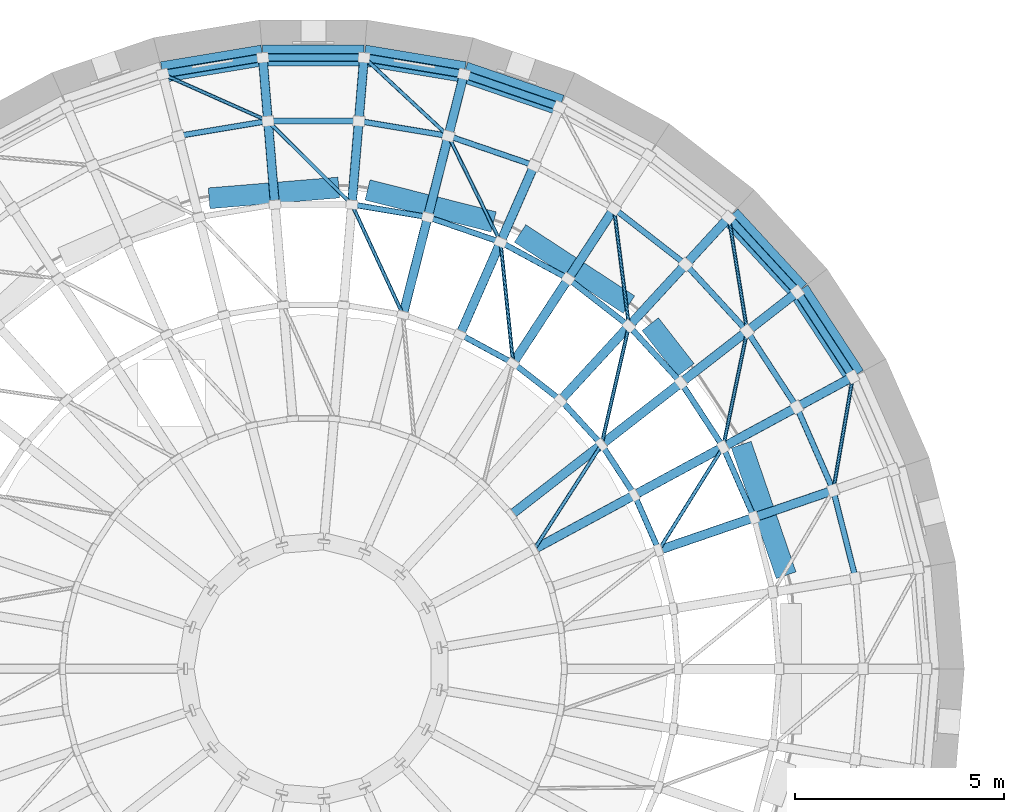
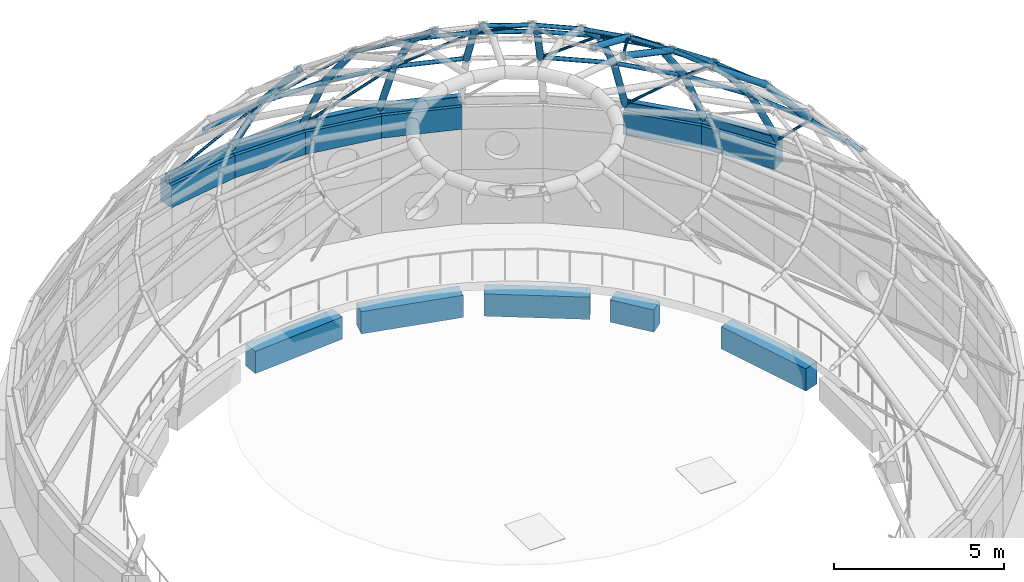
# One storey, part 33 of 98: 64 members, 11 beams.
"""IFC4 building model written with IfcOpenShell, lengths in metres."""

from ifc_helpers import new_model, si_unit, direction, frame, origin, origin_2d, place, context, subcontext, project, spatial, rectangle, hollow_rectangle, hollow_circle, extrude, material, material_profile, profile_set, type_object, element, save


model = new_model("IFC4")

# Units and contexts
model_context = context("Model", 3, precision=1e-05, world=origin(), true_north=direction((0.0, 1.0)))
body_context = subcontext(model_context, "Body", "Model", "MODEL_VIEW")
ifc_project = project(units=[si_unit("LENGTHUNIT", "METRE"), si_unit("AREAUNIT", "SQUARE_METRE"), si_unit("VOLUMEUNIT", "CUBIC_METRE"), si_unit("PLANEANGLEUNIT", "RADIAN"), si_unit("MASSUNIT", "GRAM", prefix="KILO")], contexts=[model_context])

# Site, building, storey
site_placement = place(None, origin())
site = spatial("IfcSite", under=ifc_project, at=site_placement, CompositionType="ELEMENT")
building_placement = place(site_placement, origin())
building = spatial("IfcBuilding", under=site, at=building_placement, Name="Sun Court Science Centre", CompositionType="ELEMENT")
storey_placement = place(building_placement, frame((0.0, 0.0, 15.75)))
storey = spatial("IfcBuildingStorey", under=building, at=storey_placement, Name="L03", CompositionType="ELEMENT", Elevation=15.75)

# Members
ifc_material_1 = material(Name="Steel S355", Category="steel")
ifc_material_profile_1 = material_profile(ifc_material_1, hollow_circle(Radius=0.04443359375, WallThickness=0.0048828125, at=origin_2d()), Name="CHS 88.9x5")
ifc_profile_set_1 = profile_set([ifc_material_profile_1], Name="Steel S355")
member_type_1 = type_object("IfcMemberType", Name="Dome brace CHS 88.9x5", PredefinedType="BRACE", material=ifc_profile_set_1)
member_1_placement = place(storey_placement, frame((56.292236328125, 99.6640625, 12.534912109375), z_axis=(0.488342501181, 0.760005187975, -0.428851624448), x_axis=(-0.841295406146, 0.540575655758, 0.0)))
element("IfcMember", 1, at=member_1_placement, inside=storey, type_object=member_type_1, Name="Dome brace 2.3", PredefinedType="BRACE", context=body_context, shape_type="SweptSolid", body=[
    extrude(hollow_circle(Radius=0.04443359375, WallThickness=0.0048828125, at=origin_2d()), origin(), (0.0, 0.0, 1.0), 3.303466796875),
])
for number, where, z_axis, x_axis, name in (
    (2, (59.276611328125, 99.641357421875, 11.1181640625), (0.442721207923, 0.709587022289, -0.548164382147), (-0.848412183875, 0.529336156192, 0.0), "Dome brace 3.2"),
    (3, (57.905517578125, 102.1748046875, 11.1181640625), (0.188326709318, 0.814891352705, -0.548165243192), (-0.974319141906, 0.225171511774, 0.0), "Dome brace 3.4"),
    (4, (55.7861328125, 104.125732421875, 11.1181640625), (-0.086454595847, 0.831897788565, -0.548152964269), (-0.994643197391, -0.103367837762, 0.0), "Dome brace 3.6"),
):
    element("IfcMember", number, at=place(storey_placement, frame(where, z_axis=z_axis, x_axis=x_axis)), inside=storey, type_object=member_type_1, Name=name, PredefinedType="BRACE", context=body_context, shape_type="SweptSolid", body=[
        extrude(hollow_circle(Radius=0.04443359375, WallThickness=0.0048828125, at=origin_2d()), origin(), (0.0, 0.0, 1.0), 3.484619140625),
    ])
member_2_placement = place(storey_placement, frame((53.148193359375, 105.282958984375, 11.1181640625), z_axis=(-0.351866818791, 0.758734723356, -0.548189165716), x_axis=(-0.907192868376, -0.420714986147, 0.0)))
element("IfcMember", 5, at=member_2_placement, inside=storey, type_object=member_type_1, Name="Dome brace 3.8", PredefinedType="BRACE", context=body_context, shape_type="SweptSolid", body=[
    extrude(hollow_circle(Radius=0.04443359375, WallThickness=0.0048828125, at=origin_2d()), origin(), (0.0, 0.0, 1.0), 3.484375),
])
member_3_placement = place(storey_placement, frame((60.8193359375, 102.114013671875, 9.2080078125), z_axis=(0.156613157658, 0.755944324654, -0.63562606686), x_axis=(-0.979206187279, 0.20286754988, 0.0)))
element("IfcMember", 6, at=member_3_placement, inside=storey, type_object=member_type_1, Name="Dome brace 4.3", PredefinedType="BRACE", context=body_context, shape_type="SweptSolid", body=[
    extrude(hollow_circle(Radius=0.04443359375, WallThickness=0.0048828125, at=origin_2d()), origin(), (0.0, 0.0, 1.0), 3.672607421875),
])
for number, where, z_axis, x_axis, name in (
    (7, (58.561767578125, 105.014404296875, 9.2080078125), (-0.097317415342, 0.76584285666, -0.635620987361), (-0.99202279415, -0.126058620835, 0.0), "Dome brace 4.5"),
    (8, (55.48486328125, 107.024658203125, 9.2080078125), (-0.340672179753, 0.692777650221, -0.635611196643), (-0.897369529956, -0.441279873443, 0.0), "Dome brace 4.7"),
    (9, (51.922119140625, 107.9267578125, 9.2080078125), (-0.547193709061, 0.54460131904, -0.635600855933), (-0.705425817619, -0.708783758164, 0.0), "Dome brace 4.9"),
):
    element("IfcMember", number, at=place(storey_placement, frame(where, z_axis=z_axis, x_axis=x_axis)), inside=storey, type_object=member_type_1, Name=name, PredefinedType="BRACE", context=body_context, shape_type="SweptSolid", body=[
        extrude(hollow_circle(Radius=0.04443359375, WallThickness=0.0048828125, at=origin_2d()), origin(), (0.0, 0.0, 1.0), 3.6728515625),
    ])
for number, where, z_axis, x_axis, name in (
    (10, (63.458251953125, 101.076904296875, 6.87353515625), (0.125430796036, 0.727185203256, -0.674884283097), (-0.985447852097, 0.169978030338, 0.0), "Dome brace 5.2"),
    (11, (61.39453125, 104.890380859375, 6.87353515625), (-0.11746685635, 0.72850345542, -0.674895734984), (-0.987248299173, -0.159187925985, 0.0), "Dome brace 5.4"),
    (12, (54.233642578125, 109.569091796875, 6.87353515625), (-0.540206165618, 0.502660106724, -0.67491489518), (-0.681207641845, -0.732090259935, 0.0), "Dome brace 5.8"),
    (13, (49.912353515625, 109.927001953125, 6.87353515625), (-0.674157663603, 0.300089939169, -0.674875894528), (-0.406663818512, -0.913577877749, 0.0), "Dome brace 5.10"),
):
    element("IfcMember", number, at=place(storey_placement, frame(where, z_axis=z_axis, x_axis=x_axis)), inside=storey, type_object=member_type_1, Name=name, PredefinedType="BRACE", context=body_context, shape_type="SweptSolid", body=[
        extrude(hollow_circle(Radius=0.04443359375, WallThickness=0.0048828125, at=origin_2d()), origin(), (0.0, 0.0, 1.0), 3.739013671875),
    ])
ifc_material_2 = material(Name="Steel S355", Category="steel")
ifc_material_profile_2 = material_profile(ifc_material_2, hollow_circle(Radius=0.109619140625, WallThickness=0.010009765625, at=origin_2d()), Name="CHS 219.1x10")
ifc_profile_set_2 = profile_set([ifc_material_profile_2], Name="Steel S355")
member_type_2 = type_object("IfcMemberType", Name="Dome rib CHS 219.1x10", PredefinedType="RAFTER", material=ifc_profile_set_2)
for number, where, z_axis, x_axis, name in (
    (14, (63.458251953125, 101.076904296875, 6.87353515625), (-0.616585916142, -0.211661454686, 0.758301547286), (0.324681962503, -0.945823251578, 0.0), "Dome rib 2"),
    (15, (61.56005859375, 100.42529296875, 9.2080078125), (-0.741731570983, -0.254645576224, 0.620475549169), (0.324709514546, -0.945813793071, 0.0), "Dome rib 2"),
):
    element("IfcMember", number, at=place(storey_placement, frame(where, z_axis=z_axis, x_axis=x_axis)), inside=storey, type_object=member_type_2, Name=name, PredefinedType="RAFTER", context=body_context, shape_type="SweptSolid", body=[
        extrude(hollow_circle(Radius=0.109619140625, WallThickness=0.010009765625, at=origin_2d()), origin(), (0.0, 0.0, 1.0), 3.07861328125),
    ])
member_4_placement = place(storey_placement, frame((63.92724609375, 103.7958984375, 4.35009765625), z_axis=(-0.455268336648, -0.246424334219, 0.855573368654), x_axis=(0.476015271068, -0.879437014066, 0.0)))
element("IfcMember", 16, at=member_4_placement, inside=storey, type_object=member_type_2, Name="Dome rib 3", PredefinedType="RAFTER", context=body_context, shape_type="SweptSolid", body=[
    extrude(hollow_circle(Radius=0.109619140625, WallThickness=0.010009765625, at=origin_2d()), origin(), (0.0, 0.0, 1.0), 2.949462890625),
])
for number, where, z_axis, x_axis, name in (
    (17, (62.58447265625, 103.069091796875, 6.87353515625), (-0.573360992628, -0.310233499746, 0.758295686239), (0.475883378451, -0.879508391156, 0.0), "Dome rib 3"),
    (18, (60.8193359375, 102.114013671875, 9.2080078125), (-0.689698238395, -0.373279246651, 0.620466714638), (0.475980162168, -0.87945601665, 0.0), "Dome rib 3"),
    (19, (58.696044921875, 100.96484375, 11.1181640625), (-0.780823591281, -0.422529767859, 0.460198994536), (0.475920534814, -0.87948828562, 0.0), "Dome rib 3"),
):
    element("IfcMember", number, at=place(storey_placement, frame(where, z_axis=z_axis, x_axis=x_axis)), inside=storey, type_object=member_type_2, Name=name, PredefinedType="RAFTER", context=body_context, shape_type="SweptSolid", body=[
        extrude(hollow_circle(Radius=0.109619140625, WallThickness=0.010009765625, at=origin_2d()), origin(), (0.0, 0.0, 1.0), 3.07861328125),
    ])
member_5_placement = place(storey_placement, frame((62.599365234375, 105.828125, 4.35009765625), z_axis=(-0.408506891912, -0.31794832256, 0.855588092158), x_axis=(0.614206271874, -0.789145522442, 0.0)))
element("IfcMember", 20, at=member_5_placement, inside=storey, type_object=member_type_2, Name="Dome rib 4", PredefinedType="RAFTER", context=body_context, shape_type="SweptSolid", body=[
    extrude(hollow_circle(Radius=0.109619140625, WallThickness=0.010009765625, at=origin_2d()), origin(), (0.0, 0.0, 1.0), 2.949462890625),
])
for number, where, z_axis, x_axis, name in (
    (21, (61.39453125, 104.890380859375, 6.87353515625), (-0.514443805243, -0.40040492873, 0.758303016146), (0.614210078932, -0.789142559325, 0.0), "Dome rib 4"),
    (22, (59.810791015625, 103.65771484375, 9.2080078125), (-0.618876307077, -0.481683071397, 0.620462356044), (0.614206603647, -0.789145264218, 0.0), "Dome rib 4"),
):
    element("IfcMember", number, at=place(storey_placement, frame(where, z_axis=z_axis, x_axis=x_axis)), inside=storey, type_object=member_type_2, Name=name, PredefinedType="RAFTER", context=body_context, shape_type="SweptSolid", body=[
        extrude(hollow_circle(Radius=0.109619140625, WallThickness=0.010009765625, at=origin_2d()), origin(), (0.0, 0.0, 1.0), 3.07861328125),
    ])
member_6_placement = place(storey_placement, frame((57.905517578125, 102.1748046875, 11.1181640625), z_axis=(-0.70060564, -0.545338425159, 0.46017142376), x_axis=(0.614237379486, -0.789121309839, 0.0)))
element("IfcMember", 23, at=member_6_placement, inside=storey, type_object=member_type_2, Name="Dome rib 4", PredefinedType="RAFTER", context=body_context, shape_type="SweptSolid", body=[
    extrude(hollow_circle(Radius=0.109619140625, WallThickness=0.010009765625, at=origin_2d()), origin(), (0.0, 0.0, 1.0), 3.078857421875),
])
member_7_placement = place(storey_placement, frame((60.955322265625, 107.6142578125, 4.35009765625), z_axis=(-0.350638953214, -0.380852177464, 0.855572289996), x_axis=(0.735685575744, -0.677323212095, 0.0)))
element("IfcMember", 24, at=member_7_placement, inside=storey, type_object=member_type_2, Name="Dome rib 5", PredefinedType="RAFTER", context=body_context, shape_type="SweptSolid", body=[
    extrude(hollow_circle(Radius=0.109619140625, WallThickness=0.010009765625, at=origin_2d()), origin(), (0.0, 0.0, 1.0), 2.949462890625),
])
for number, where, z_axis, x_axis, name in (
    (25, (59.921142578125, 106.490966796875, 6.87353515625), (-0.441553388945, -0.479618336268, 0.75828547146), (0.735698222837, -0.677309474993, 0.0), "Dome rib 5"),
    (26, (58.561767578125, 105.014404296875, 9.2080078125), (-0.531098361552, -0.577015332037, 0.620473880959), (0.735775801776, -0.677225198528, 0.0), "Dome rib 5"),
    (27, (58.204345703125, 107.8271484375, 6.87353515625), (-0.356547265486, -0.545764742232, 0.758297364897), (0.83717956798, -0.546928122295, 0.0), "Dome rib 6"),
    (28, (57.106689453125, 106.14697265625, 9.2080078125), (-0.428942586682, -0.65653830193, 0.620456054391), (0.837163730619, -0.546952363681, 0.0), "Dome rib 6"),
    (29, (56.291259765625, 108.862548828125, 6.87353515625), (-0.261934694681, -0.59698588603, 0.75828627022), (0.915732465011, -0.401788566941, 0.0), "Dome rib 7"),
    (30, (55.48486328125, 107.024658203125, 9.2080078125), (-0.314997221206, -0.718180975641, 0.62047791005), (0.91578559843, -0.401667446661, 0.0), "Dome rib 7"),
):
    element("IfcMember", number, at=place(storey_placement, frame(where, z_axis=z_axis, x_axis=x_axis)), inside=storey, type_object=member_type_2, Name=name, PredefinedType="RAFTER", context=body_context, shape_type="SweptSolid", body=[
        extrude(hollow_circle(Radius=0.109619140625, WallThickness=0.010009765625, at=origin_2d()), origin(), (0.0, 0.0, 1.0), 3.07861328125),
    ])
member_8_placement = place(storey_placement, frame((54.6083984375, 111.049072265625, 4.35009765625), z_axis=(-0.127064936787, -0.501803027235, 0.855598167189), x_axis=(0.969404333392, -0.245469424572, 0.0)))
element("IfcMember", 31, at=member_8_placement, inside=storey, type_object=member_type_2, Name="Dome rib 8", PredefinedType="RAFTER", context=body_context, shape_type="SweptSolid", body=[
    extrude(hollow_circle(Radius=0.109619140625, WallThickness=0.010009765625, at=origin_2d()), origin(), (0.0, 0.0, 1.0), 2.94921875),
])
member_9_placement = place(storey_placement, frame((54.233642578125, 109.569091796875, 6.87353515625), z_axis=(-0.160025195679, -0.632012294133, 0.758256155144), x_axis=(0.969408315262, -0.245453698896, 0.0)))
element("IfcMember", 32, at=member_9_placement, inside=storey, type_object=member_type_2, Name="Dome rib 8", PredefinedType="RAFTER", context=body_context, shape_type="SweptSolid", body=[
    extrude(hollow_circle(Radius=0.109619140625, WallThickness=0.010009765625, at=origin_2d()), origin(), (0.0, 0.0, 1.0), 3.078857421875),
])
member_10_placement = place(storey_placement, frame((53.740966796875, 107.623291015625, 9.2080078125), z_axis=(-0.192551982842, -0.760215530282, 0.620480524611), x_axis=(0.969388349726, -0.245532538403, 0.0)))
element("IfcMember", 33, at=member_10_placement, inside=storey, type_object=member_type_2, Name="Dome rib 8", PredefinedType="RAFTER", context=body_context, shape_type="SweptSolid", body=[
    extrude(hollow_circle(Radius=0.109619140625, WallThickness=0.010009765625, at=origin_2d()), origin(), (0.0, 0.0, 1.0), 3.07861328125),
])
member_11_placement = place(storey_placement, frame((52.2138671875, 111.448486328125, 4.35009765625), z_axis=(-0.042796310974, -0.515873520293, 0.855595106828), x_axis=(0.996576569064, -0.082674917556, 0.0)))
element("IfcMember", 34, at=member_11_placement, inside=storey, type_object=member_type_2, Name="Dome rib 9", PredefinedType="RAFTER", context=body_context, shape_type="SweptSolid", body=[
    extrude(hollow_circle(Radius=0.109619140625, WallThickness=0.010009765625, at=origin_2d()), origin(), (0.0, 0.0, 1.0), 2.94921875),
])
member_12_placement = place(storey_placement, frame((52.087646484375, 109.927001953125, 6.87353515625), z_axis=(-0.053766061004, -0.64971288762, 0.758275922303), x_axis=(0.996593410003, -0.082471662637, 0.0)))
element("IfcMember", 35, at=member_12_placement, inside=storey, type_object=member_type_2, Name="Dome rib 9", PredefinedType="RAFTER", context=body_context, shape_type="SweptSolid", body=[
    extrude(hollow_circle(Radius=0.109619140625, WallThickness=0.010009765625, at=origin_2d()), origin(), (0.0, 0.0, 1.0), 3.07861328125),
])
member_13_placement = place(storey_placement, frame((49.7861328125, 111.448486328125, 4.35009765625), z_axis=(0.042796310974, -0.515873520293, 0.855595106828), x_axis=(0.996576569064, 0.082674917556, 0.0)))
element("IfcMember", 36, at=member_13_placement, inside=storey, type_object=member_type_2, Name="Dome rib 10", PredefinedType="RAFTER", context=body_context, shape_type="SweptSolid", body=[
    extrude(hollow_circle(Radius=0.109619140625, WallThickness=0.010009765625, at=origin_2d()), origin(), (0.0, 0.0, 1.0), 2.94921875),
])
member_14_placement = place(storey_placement, frame((49.912353515625, 109.927001953125, 6.87353515625), z_axis=(0.053766061004, -0.64971288762, 0.758275922303), x_axis=(0.996593410003, 0.082471662637, 0.0)))
element("IfcMember", 37, at=member_14_placement, inside=storey, type_object=member_type_2, Name="Dome rib 10", PredefinedType="RAFTER", context=body_context, shape_type="SweptSolid", body=[
    extrude(hollow_circle(Radius=0.109619140625, WallThickness=0.010009765625, at=origin_2d()), origin(), (0.0, 0.0, 1.0), 3.07861328125),
])
ifc_material_3 = material(Name="Steel S355", Category="steel")
ifc_material_profile_3 = material_profile(ifc_material_3, hollow_circle(Radius=0.06982421875, WallThickness=0.00634765625, at=origin_2d()), Name="CHS 139.7x6.3")
ifc_profile_set_3 = profile_set([ifc_material_profile_3], Name="Steel S355")
member_type_3 = type_object("IfcMemberType", Name="Dome ring CHS 139.7x6.3", PredefinedType="MEMBER", material=ifc_profile_set_3)
member_15_placement = place(storey_placement, frame((63.992431640625, 98.968017578125, 6.87353515625), z_axis=(-0.245544683746, 0.9693852734, 0.0), x_axis=(-0.9693852734, -0.245544683746, 0.0)))
element("IfcMember", 38, at=member_15_placement, inside=storey, type_object=member_type_3, Name="Dome ring 5 chord 1", PredefinedType="MEMBER", context=body_context, shape_type="SweptSolid", body=[
    extrude(hollow_circle(Radius=0.06982421875, WallThickness=0.00634765625, at=origin_2d()), origin(), (0.0, 0.0, 1.0), 2.175537109375),
])
member_16_placement = place(storey_placement, frame((59.276611328125, 99.641357421875, 11.1181640625), z_axis=(-0.401713690684, 0.915765314214, 0.0), x_axis=(-0.915765314214, -0.401713690684, 0.0)))
element("IfcMember", 39, at=member_16_placement, inside=storey, type_object=member_type_3, Name="Dome ring 3 chord 2", PredefinedType="MEMBER", context=body_context, shape_type="SweptSolid", body=[
    extrude(hollow_circle(Radius=0.06982421875, WallThickness=0.00634765625, at=origin_2d()), origin(), (0.0, 0.0, 1.0), 1.4453125),
])
member_17_placement = place(storey_placement, frame((61.56005859375, 100.42529296875, 9.2080078125), z_axis=(-0.401686818832, 0.91577710147, 0.0), x_axis=(-0.91577710147, -0.401686818832, 0.0)))
element("IfcMember", 40, at=member_17_placement, inside=storey, type_object=member_type_3, Name="Dome ring 4 chord 2", PredefinedType="MEMBER", context=body_context, shape_type="SweptSolid", body=[
    extrude(hollow_circle(Radius=0.06982421875, WallThickness=0.00634765625, at=origin_2d()), origin(), (0.0, 0.0, 1.0), 1.843994140625),
])
member_18_placement = place(storey_placement, frame((63.458251953125, 101.076904296875, 6.87353515625), z_axis=(-0.401666448901, 0.915786036052, 0.0), x_axis=(-0.915786036052, -0.401666448901, 0.0)))
element("IfcMember", 41, at=member_18_placement, inside=storey, type_object=member_type_3, Name="Dome ring 5 chord 2", PredefinedType="MEMBER", context=body_context, shape_type="SweptSolid", body=[
    extrude(hollow_circle(Radius=0.06982421875, WallThickness=0.00634765625, at=origin_2d()), origin(), (0.0, 0.0, 1.0), 2.17529296875),
])
member_19_placement = place(storey_placement, frame((58.696044921875, 100.96484375, 11.1181640625), z_axis=(-0.54695805486, 0.837160012318, 0.0), x_axis=(-0.837160012318, -0.54695805486, 0.0)))
element("IfcMember", 42, at=member_19_placement, inside=storey, type_object=member_type_3, Name="Dome ring 3 chord 3", PredefinedType="MEMBER", context=body_context, shape_type="SweptSolid", body=[
    extrude(hollow_circle(Radius=0.06982421875, WallThickness=0.00634765625, at=origin_2d()), origin(), (0.0, 0.0, 1.0), 1.4453125),
])
member_20_placement = place(storey_placement, frame((60.8193359375, 102.114013671875, 9.2080078125), z_axis=(-0.546946109542, 0.837167816663, 0.0), x_axis=(-0.837167816663, -0.546946109542, 0.0)))
element("IfcMember", 43, at=member_20_placement, inside=storey, type_object=member_type_3, Name="Dome ring 4 chord 3", PredefinedType="MEMBER", context=body_context, shape_type="SweptSolid", body=[
    extrude(hollow_circle(Radius=0.06982421875, WallThickness=0.00634765625, at=origin_2d()), origin(), (0.0, 0.0, 1.0), 1.843994140625),
])
member_21_placement = place(storey_placement, frame((62.58447265625, 103.069091796875, 6.87353515625), z_axis=(-0.546959070488, 0.837159348757, 0.0), x_axis=(-0.837159348757, -0.546959070488, 0.0)))
element("IfcMember", 44, at=member_21_placement, inside=storey, type_object=member_type_3, Name="Dome ring 5 chord 3", PredefinedType="MEMBER", context=body_context, shape_type="SweptSolid", body=[
    extrude(hollow_circle(Radius=0.06982421875, WallThickness=0.00634765625, at=origin_2d()), origin(), (0.0, 0.0, 1.0), 2.175537109375),
])
member_22_placement = place(storey_placement, frame((57.905517578125, 102.1748046875, 11.1181640625), z_axis=(-0.677276091985, 0.735728955, 0.0), x_axis=(-0.735728955, -0.677276091985, 0.0)))
element("IfcMember", 45, at=member_22_placement, inside=storey, type_object=member_type_3, Name="Dome ring 3 chord 4", PredefinedType="MEMBER", context=body_context, shape_type="SweptSolid", body=[
    extrude(hollow_circle(Radius=0.06982421875, WallThickness=0.00634765625, at=origin_2d()), origin(), (0.0, 0.0, 1.0), 1.445068359375),
])
member_23_placement = place(storey_placement, frame((59.810791015625, 103.65771484375, 9.2080078125), z_axis=(-0.677311749809, 0.735696128555, 0.0), x_axis=(-0.735696128555, -0.677311749809, 0.0)))
element("IfcMember", 46, at=member_23_placement, inside=storey, type_object=member_type_3, Name="Dome ring 4 chord 4", PredefinedType="MEMBER", context=body_context, shape_type="SweptSolid", body=[
    extrude(hollow_circle(Radius=0.06982421875, WallThickness=0.00634765625, at=origin_2d()), origin(), (0.0, 0.0, 1.0), 1.843994140625),
])
member_24_placement = place(storey_placement, frame((61.39453125, 104.890380859375, 6.87353515625), z_axis=(-0.677268015701, 0.73573638955, 0.0), x_axis=(-0.73573638955, -0.677268015701, 0.0)))
element("IfcMember", 47, at=member_24_placement, inside=storey, type_object=member_type_3, Name="Dome ring 5 chord 4", PredefinedType="MEMBER", context=body_context, shape_type="SweptSolid", body=[
    extrude(hollow_circle(Radius=0.06982421875, WallThickness=0.00634765625, at=origin_2d()), origin(), (0.0, 0.0, 1.0), 2.175537109375),
])
member_25_placement = place(storey_placement, frame((56.9267578125, 103.238037109375, 11.1181640625), z_axis=(-0.789170274405, 0.614174468694, 0.0), x_axis=(-0.614174468694, -0.789170274405, 0.0)))
element("IfcMember", 48, at=member_25_placement, inside=storey, type_object=member_type_3, Name="Dome ring 3 chord 5", PredefinedType="MEMBER", context=body_context, shape_type="SweptSolid", body=[
    extrude(hollow_circle(Radius=0.06982421875, WallThickness=0.00634765625, at=origin_2d()), origin(), (0.0, 0.0, 1.0), 1.4453125),
])
member_26_placement = place(storey_placement, frame((58.561767578125, 105.014404296875, 9.2080078125), z_axis=(-0.78913115247, 0.61422473428, 0.0), x_axis=(-0.61422473428, -0.78913115247, 0.0)))
element("IfcMember", 49, at=member_26_placement, inside=storey, type_object=member_type_3, Name="Dome ring 4 chord 5", PredefinedType="MEMBER", context=body_context, shape_type="SweptSolid", body=[
    extrude(hollow_circle(Radius=0.06982421875, WallThickness=0.00634765625, at=origin_2d()), origin(), (0.0, 0.0, 1.0), 1.843994140625),
])
member_27_placement = place(storey_placement, frame((59.921142578125, 106.490966796875, 6.87353515625), z_axis=(-0.789152763941, 0.614196967726, 0.0), x_axis=(-0.614196967726, -0.789152763941, 0.0)))
element("IfcMember", 50, at=member_27_placement, inside=storey, type_object=member_type_3, Name="Dome ring 5 chord 5", PredefinedType="MEMBER", context=body_context, shape_type="SweptSolid", body=[
    extrude(hollow_circle(Radius=0.06982421875, WallThickness=0.00634765625, at=origin_2d()), origin(), (0.0, 0.0, 1.0), 2.175537109375),
])
member_28_placement = place(storey_placement, frame((55.7861328125, 104.125732421875, 11.1181640625), z_axis=(-0.879427525006, 0.476032801665, 0.0), x_axis=(-0.476032801665, -0.879427525006, 0.0)))
element("IfcMember", 51, at=member_28_placement, inside=storey, type_object=member_type_3, Name="Dome ring 3 chord 6", PredefinedType="MEMBER", context=body_context, shape_type="SweptSolid", body=[
    extrude(hollow_circle(Radius=0.06982421875, WallThickness=0.00634765625, at=origin_2d()), origin(), (0.0, 0.0, 1.0), 1.4453125),
])
member_29_placement = place(storey_placement, frame((57.106689453125, 106.14697265625, 9.2080078125), z_axis=(-0.879474406293, 0.475946182541, 0.0), x_axis=(-0.475946182541, -0.879474406293, 0.0)))
element("IfcMember", 52, at=member_29_placement, inside=storey, type_object=member_type_3, Name="Dome ring 4 chord 6", PredefinedType="MEMBER", context=body_context, shape_type="SweptSolid", body=[
    extrude(hollow_circle(Radius=0.06982421875, WallThickness=0.00634765625, at=origin_2d()), origin(), (0.0, 0.0, 1.0), 1.843994140625),
])
member_30_placement = place(storey_placement, frame((55.48486328125, 107.024658203125, 9.2080078125), z_axis=(-0.945825170955, 0.324676371158, 0.0), x_axis=(-0.324676371158, -0.945825170955, 0.0)))
element("IfcMember", 53, at=member_30_placement, inside=storey, type_object=member_type_3, Name="Dome ring 4 chord 7", PredefinedType="MEMBER", context=body_context, shape_type="SweptSolid", body=[
    extrude(hollow_circle(Radius=0.06982421875, WallThickness=0.00634765625, at=origin_2d()), origin(), (0.0, 0.0, 1.0), 1.84375),
])
member_31_placement = place(storey_placement, frame((56.291259765625, 108.862548828125, 6.87353515625), z_axis=(-0.945794357384, 0.324766121294, 0.0), x_axis=(-0.324766121294, -0.945794357384, 0.0)))
element("IfcMember", 54, at=member_31_placement, inside=storey, type_object=member_type_3, Name="Dome ring 5 chord 7", PredefinedType="MEMBER", context=body_context, shape_type="SweptSolid", body=[
    extrude(hollow_circle(Radius=0.06982421875, WallThickness=0.00634765625, at=origin_2d()), origin(), (0.0, 0.0, 1.0), 2.175537109375),
])
member_32_placement = place(storey_placement, frame((53.740966796875, 107.623291015625, 9.2080078125), z_axis=(-0.986365282278, 0.164570744412, 0.0), x_axis=(-0.164570744412, -0.986365282278, 0.0)))
element("IfcMember", 55, at=member_32_placement, inside=storey, type_object=member_type_3, Name="Dome ring 4 chord 8", PredefinedType="MEMBER", context=body_context, shape_type="SweptSolid", body=[
    extrude(hollow_circle(Radius=0.06982421875, WallThickness=0.00634765625, at=origin_2d()), origin(), (0.0, 0.0, 1.0), 1.843994140625),
])
member_33_placement = place(storey_placement, frame((54.233642578125, 109.569091796875, 6.87353515625), z_axis=(-0.986375720654, 0.16450816911, 0.0), x_axis=(-0.16450816911, -0.986375720654, 0.0)))
element("IfcMember", 56, at=member_33_placement, inside=storey, type_object=member_type_3, Name="Dome ring 5 chord 8", PredefinedType="MEMBER", context=body_context, shape_type="SweptSolid", body=[
    extrude(hollow_circle(Radius=0.06982421875, WallThickness=0.00634765625, at=origin_2d()), origin(), (0.0, 0.0, 1.0), 2.175537109375),
])
member_34_placement = place(storey_placement, frame((52.087646484375, 109.927001953125, 6.87353515625), z_axis=(-1.0, 0.0, 0.0), x_axis=(0.0, -1.0, 0.0)))
element("IfcMember", 57, at=member_34_placement, inside=storey, type_object=member_type_3, Name="Dome ring 5 chord 9", PredefinedType="MEMBER", context=body_context, shape_type="SweptSolid", body=[
    extrude(hollow_circle(Radius=0.06982421875, WallThickness=0.00634765625, at=origin_2d()), origin(), (0.0, 0.0, 1.0), 2.17529296875),
])
member_35_placement = place(storey_placement, frame((49.912353515625, 109.927001953125, 6.87353515625), z_axis=(-0.986375720654, -0.16450816911, 0.0), x_axis=(0.16450816911, -0.986375720654, 0.0)))
element("IfcMember", 58, at=member_35_placement, inside=storey, type_object=member_type_3, Name="Dome ring 5 chord 10", PredefinedType="MEMBER", context=body_context, shape_type="SweptSolid", body=[
    extrude(hollow_circle(Radius=0.06982421875, WallThickness=0.00634765625, at=origin_2d()), origin(), (0.0, 0.0, 1.0), 2.175537109375),
])
ifc_material_4 = material(Name="Steel S355", Category="steel")
ifc_material_profile_4 = material_profile(ifc_material_4, hollow_rectangle(XDim=0.199951171875, YDim=0.300048828125, WallThickness=0.012451171875, InnerFilletRadius=0.012451171875, OuterFilletRadius=0.018798828125, at=origin_2d()), Name="RHS 300x200x12.5")
ifc_profile_set_4 = profile_set([ifc_material_profile_4], Name="Steel S355")
member_type_4 = type_object("IfcMemberType", Name="Dome tension ring RHS 300x200x12.5", PredefinedType="MEMBER", material=ifc_profile_set_4)
for number, where, z_axis, x_axis, name in (
    (59, (63.92724609375, 103.7958984375, 4.35009765625), (-0.546994632394, 0.837136113265, 0.0), (-0.837136113265, -0.546994632394, 0.0), "Dome tension ring 3"),
    (60, (62.599365234375, 105.828125, 4.35009765625), (-0.677235165569, 0.735766627755, 0.0), (-0.735766627755, -0.677235165569, 0.0), "Dome tension ring 4"),
):
    element("IfcMember", number, at=place(storey_placement, frame(where, z_axis=z_axis, x_axis=x_axis)), inside=storey, type_object=member_type_4, Name=name, PredefinedType="MEMBER", context=body_context, shape_type="SweptSolid", body=[
        extrude(hollow_rectangle(XDim=0.199951171875, YDim=0.300048828125, WallThickness=0.012451171875, InnerFilletRadius=0.012451171875, OuterFilletRadius=0.018798828125, at=origin_2d()), origin(), (0.0, 0.0, 1.0), 2.427490234375),
    ])
for number, where, z_axis, x_axis, name in (
    (61, (56.904541015625, 110.2607421875, 4.35009765625), (-0.945809229431, 0.324722807212, 0.0), (-0.324722807212, -0.945809229431, 0.0), "Dome tension ring 7"),
    (62, (54.6083984375, 111.049072265625, 4.35009765625), (-0.986372170744, 0.164529452624, 0.0), (-0.164529452624, -0.986372170744, 0.0), "Dome tension ring 8"),
    (63, (52.2138671875, 111.448486328125, 4.35009765625), (-1.0, 0.0, 0.0), (0.0, -1.0, 0.0), "Dome tension ring 9"),
    (64, (49.7861328125, 111.448486328125, 4.35009765625), (-0.986372170744, -0.164529452624, 0.0), (0.164529452624, -0.986372170744, 0.0), "Dome tension ring 10"),
):
    element("IfcMember", number, at=place(storey_placement, frame(where, z_axis=z_axis, x_axis=x_axis)), inside=storey, type_object=member_type_4, Name=name, PredefinedType="MEMBER", context=body_context, shape_type="SweptSolid", body=[
        extrude(hollow_rectangle(XDim=0.199951171875, YDim=0.300048828125, WallThickness=0.012451171875, InnerFilletRadius=0.012451171875, OuterFilletRadius=0.018798828125, at=origin_2d()), origin(), (0.0, 0.0, 1.0), 2.427734375),
    ])

# Beams
ifc_material_5 = material(Name="Concrete C25/30", Category="concrete")
ifc_material_profile_5 = material_profile(ifc_material_5, rectangle(XDim=0.5, YDim=0.800048828125, at=origin_2d()), Name="RC 500x800")
ifc_profile_set_5 = profile_set([ifc_material_profile_5], Name="Concrete C25/30")
beam_type = type_object("IfcBeamType", Name="RC girder 500x800", PredefinedType="BEAM", material=ifc_profile_set_5)
for number, where, z_axis, x_axis, name in (
    (65, (63.971435546875, 103.81982421875, 3.800048828125), (-0.546927979397, 0.837179661335, 0.0), (-0.837179661335, -0.546927979397, 0.0), "Drum ring beam 3"),
    (66, (62.63916015625, 105.859130859375, 3.800048828125), (-0.677288810182, 0.735717247047, 0.0), (-0.735717247047, -0.677288810182, 0.0), "Drum ring beam 4"),
    (67, (56.924560546875, 110.306884765625, 3.800048828125), (-0.945808813777, 0.32472401787, 0.0), (-0.32472401787, -0.945808813777, 0.0), "Drum ring beam 7"),
):
    element("IfcBeam", number, at=place(storey_placement, frame(where, z_axis=z_axis, x_axis=x_axis)), inside=storey, type_object=beam_type, Name=name, PredefinedType="BEAM", context=body_context, shape_type="SweptSolid", body=[
        extrude(rectangle(XDim=0.5, YDim=0.800048828125, at=origin_2d()), origin(), (0.0, 0.0, 1.0), 2.43603515625),
    ])
beam_1_placement = place(storey_placement, frame((54.62060546875, 111.097900390625, 3.800048828125), z_axis=(-0.9863641095, 0.164577773377, 0.0), x_axis=(-0.164577773377, -0.9863641095, 0.0)))
element("IfcBeam", 68, at=beam_1_placement, inside=storey, type_object=beam_type, Name="Drum ring beam 8", PredefinedType="BEAM", context=body_context, shape_type="SweptSolid", body=[
    extrude(rectangle(XDim=0.5, YDim=0.800048828125, at=origin_2d()), origin(), (0.0, 0.0, 1.0), 2.435791015625),
])
beam_2_placement = place(storey_placement, frame((52.218017578125, 111.498779296875, 3.800048828125), z_axis=(-1.0, 0.0, 0.0), x_axis=(0.0, -1.0, 0.0)))
element("IfcBeam", 69, at=beam_2_placement, inside=storey, type_object=beam_type, Name="Drum ring beam 9", PredefinedType="BEAM", context=body_context, shape_type="SweptSolid", body=[
    extrude(rectangle(XDim=0.5, YDim=0.800048828125, at=origin_2d()), origin(), (0.0, 0.0, 1.0), 2.43603515625),
])
beam_3_placement = place(storey_placement, frame((49.781982421875, 111.498779296875, 3.800048828125), z_axis=(-0.9863641095, -0.164577773377, 0.0), x_axis=(0.164577773377, -0.9863641095, 0.0)))
element("IfcBeam", 70, at=beam_3_placement, inside=storey, type_object=beam_type, Name="Drum ring beam 10", PredefinedType="BEAM", context=body_context, shape_type="SweptSolid", body=[
    extrude(rectangle(XDim=0.5, YDim=0.800048828125, at=origin_2d()), origin(), (0.0, 0.0, 1.0), 2.435791015625),
])
beam_4_placement = place(storey_placement, frame((62.328369140625, 99.0400390625, -0.699951171875), z_axis=(-0.324735444116, 0.945804890733, 0.0), x_axis=(-0.945804890733, -0.324735444116, 0.0)))
element("IfcBeam", 71, at=beam_4_placement, inside=storey, type_object=beam_type, Name="Gallery ring beam", PredefinedType="BEAM", context=body_context, shape_type="SweptSolid", body=[
    extrude(rectangle(XDim=0.5, YDim=0.800048828125, at=origin_2d()), origin(), (0.0, 0.0, 1.0), 3.3095703125),
])
beam_5_placement = place(storey_placement, frame((59.92578125, 103.96044921875, -0.699951171875), z_axis=(-0.614195708895, 0.789153743687, 0.0), x_axis=(-0.789153743687, -0.614195708895, 0.0)))
element("IfcBeam", 72, at=beam_5_placement, inside=storey, type_object=beam_type, Name="Gallery ring beam", PredefinedType="BEAM", context=body_context, shape_type="SweptSolid", body=[
    extrude(rectangle(XDim=0.5, YDim=0.800048828125, at=origin_2d()), origin(), (0.0, 0.0, 1.0), 1.391357421875),
])
beam_6_placement = place(storey_placement, frame((58.5634765625, 105.525634765625, -0.699951171875), z_axis=(-0.837121273755, 0.547017342528, 0.0), x_axis=(-0.547017342528, -0.837121273755, 0.0)))
element("IfcBeam", 73, at=beam_6_placement, inside=storey, type_object=beam_type, Name="Gallery ring beam", PredefinedType="BEAM", context=body_context, shape_type="SweptSolid", body=[
    extrude(rectangle(XDim=0.5, YDim=0.800048828125, at=origin_2d()), origin(), (0.0, 0.0, 1.0), 3.118896484375),
])
beam_7_placement = place(storey_placement, frame((55.32080078125, 107.5087890625, -0.699951171875), z_axis=(-0.969392092392, 0.245517761492, 0.0), x_axis=(-0.245517761492, -0.969392092392, 0.0)))
element("IfcBeam", 74, at=beam_7_placement, inside=storey, type_object=beam_type, Name="Gallery ring beam", PredefinedType="BEAM", context=body_context, shape_type="SweptSolid", body=[
    extrude(rectangle(XDim=0.5, YDim=0.800048828125, at=origin_2d()), origin(), (0.0, 0.0, 1.0), 3.119384765625),
])
beam_8_placement = place(storey_placement, frame((51.609375, 108.33154296875, -0.699951171875), z_axis=(-0.996584516189, -0.082579065707, 0.0), x_axis=(0.082579065707, -0.996584516189, 0.0)))
element("IfcBeam", 75, at=beam_8_placement, inside=storey, type_object=beam_type, Name="Gallery ring beam", PredefinedType="BEAM", context=body_context, shape_type="SweptSolid", body=[
    extrude(rectangle(XDim=0.5, YDim=0.800048828125, at=origin_2d()), origin(), (0.0, 0.0, 1.0), 3.119140625),
])

save(model, "model.ifc")
